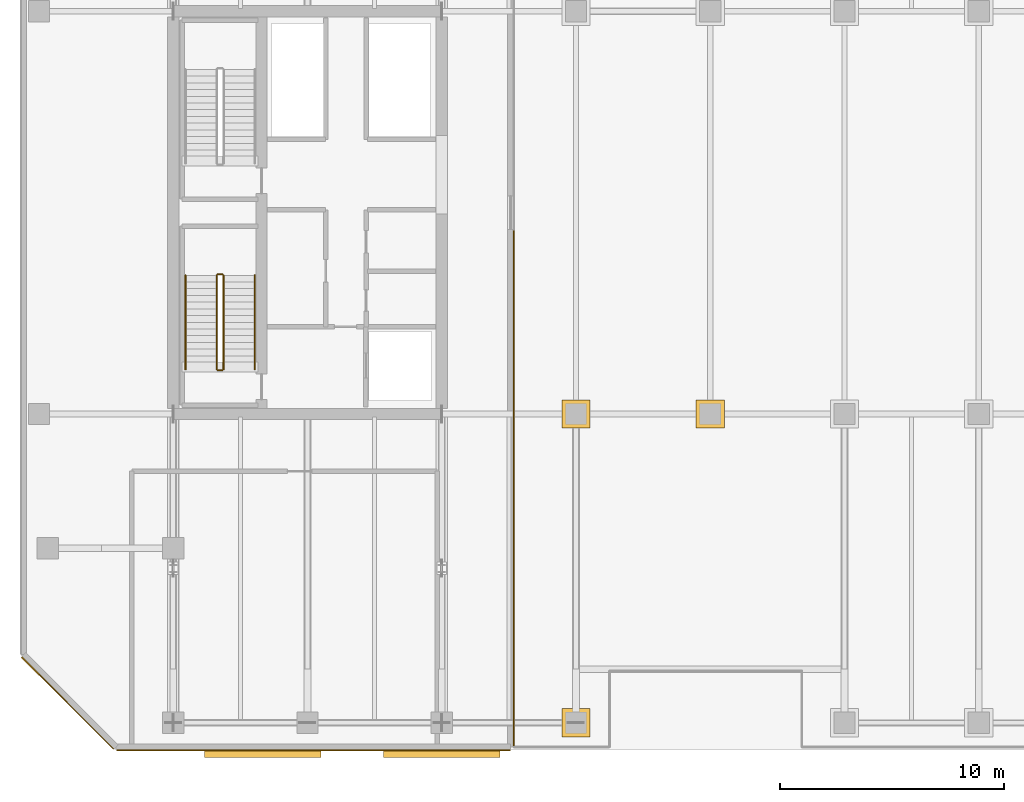
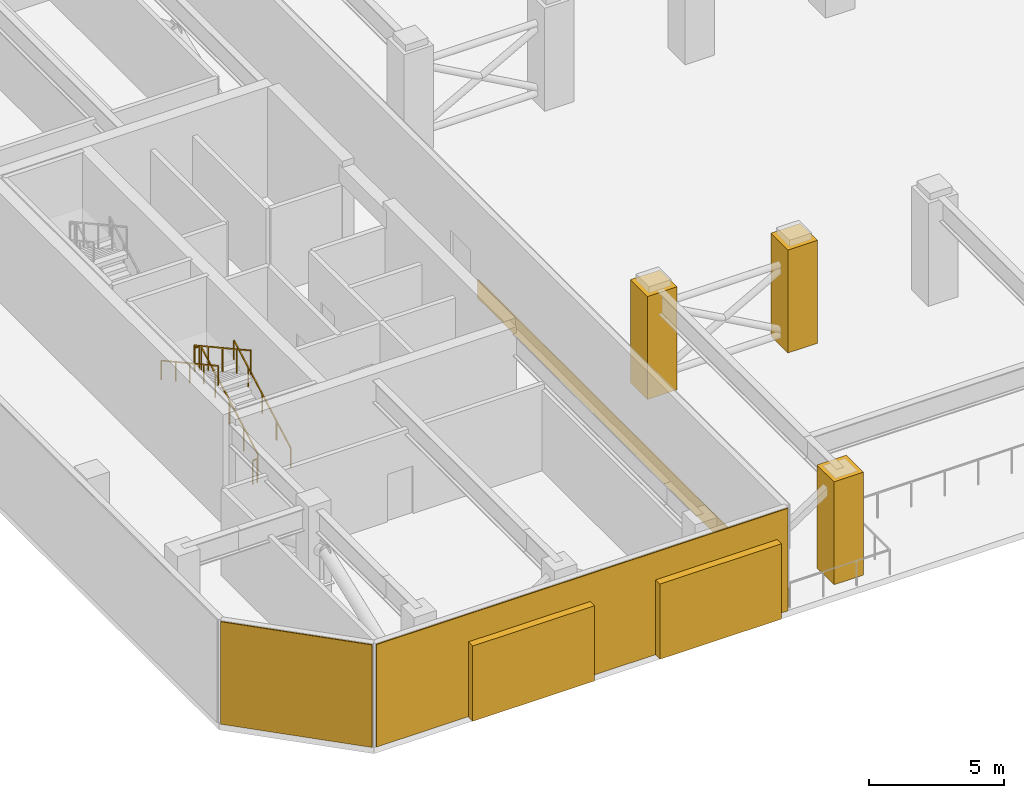
# One storey, part 16 of 21: 6 coverings, 6 railings, 2 shading devices.
"""IFC4 building model written with IfcOpenShell, lengths in metres."""

from ifc_helpers import new_model, si_unit, direction, frame, origin, origin_2d, place, context, subcontext, project, spatial, rectangle, extrude, material, layer, layer_set, type_object, element, save


model = new_model("IFC4")

# Units and contexts
model_context = context("Model", 3, precision=1e-05, world=origin(), true_north=direction((0.0, 1.0)))
body_context = subcontext(model_context, "Body", "Model", "MODEL_VIEW")
ifc_project = project(units=[si_unit("LENGTHUNIT", "METRE"), si_unit("AREAUNIT", "SQUARE_METRE"), si_unit("VOLUMEUNIT", "CUBIC_METRE"), si_unit("PLANEANGLEUNIT", "RADIAN"), si_unit("MASSUNIT", "GRAM", prefix="KILO")], contexts=[model_context])

# Site, building, storey
site_placement = place(None, origin())
site = spatial("IfcSite", under=ifc_project, at=site_placement, CompositionType="ELEMENT")
building_placement = place(site_placement, origin())
building = spatial("IfcBuilding", under=site, at=building_placement, Name="Tanjung Sevakor Pilgrim Tower", CompositionType="ELEMENT")
storey_placement = place(building_placement, frame((0.0, 0.0, 123.090087890625)))
storey = spatial("IfcBuildingStorey", under=building, at=storey_placement, Name="L34", CompositionType="ELEMENT", Elevation=123.090087890625)

# Coverings
ifc_material_1 = material(Name="Reconstructed Limestone Cladding", Category="masonry")
ifc_layer = layer(ifc_material_1, 0.044921875)
ifc_layer_set = layer_set([ifc_layer], Name="COV-CLAD-LIMESTONE")
covering_type = type_object("IfcCoveringType", Name="COV-CLAD-LIMESTONE", PredefinedType="CLADDING", material=ifc_layer_set)
covering_1_placement = place(storey_placement, frame((30.263427734375, 9.577392578125, 0.02001953125), z_axis=(0.0, 0.0, 1.0), x_axis=(1.0, 0.0, 0.0)))
element("IfcCovering", 1, at=covering_1_placement, inside=storey, type_object=covering_type, Name="L34 Warm Limestone Wall Cladding EW-RFW-L34-1", PredefinedType="CLADDING", context=body_context, shape_type="SweptSolid", body=[
    extrude(rectangle(XDim=17.583251953125, YDim=0.044921875, at=origin_2d()), origin(), (0.0, 0.0, 1.0), 4.6298828125),
])
covering_2_placement = place(storey_placement, frame((39.222412109375, 21.277587890625, 0.009765625), z_axis=(0.0, 0.0, 1.0), x_axis=(0.0, 1.0, 0.0)))
element("IfcCovering", 2, at=covering_2_placement, inside=storey, type_object=covering_type, Name="L34 Warm Limestone Sill Spandrel EW-RFW-L34-2-1", PredefinedType="CLADDING", context=body_context, shape_type="SweptSolid", body=[
    extrude(rectangle(XDim=23.02490234375, YDim=0.044921875, at=origin_2d()), origin(), (0.0, 0.0, 1.0), 0.840087890625),
])
covering_3_placement = place(storey_placement, frame((19.2841796875, 11.68408203125, 0.02001953125), z_axis=(0.0, 0.0, 1.0), x_axis=(0.707106781187, -0.707106781187, 0.0)))
element("IfcCovering", 3, at=covering_3_placement, inside=storey, type_object=covering_type, Name="L34 Warm Limestone Wall Cladding EW-RFW-L34-6", PredefinedType="CLADDING", context=body_context, shape_type="SweptSolid", body=[
    extrude(rectangle(XDim=5.796142578125, YDim=0.044921875, at=origin_2d()), origin(), (0.0, 0.0, 1.0), 4.6298828125),
])
for number, where, z_axis, x_axis, name in (
    (4, (42.0, 24.60009765625, 0.010009765625), (0.0, 0.0, 1.0), (1.0, 0.0, 0.0), "L34 Portal Colonnade Limestone Casing 03"),
    (5, (48.0, 24.60009765625, 0.010009765625), (0.0, 0.0, 1.0), (1.0, 0.0, 0.0), "L34 Portal Colonnade Limestone Casing 05"),
    (6, (42.0, 10.800048828125, 0.010009765625), (0.0, 0.0, 1.0), (1.0, 0.0, 0.0), "L34 Portal Colonnade Limestone Casing 31"),
):
    element("IfcCovering", number, at=place(storey_placement, frame(where, z_axis=z_axis, x_axis=x_axis)), inside=storey, type_object=covering_type, Name=name, PredefinedType="CLADDING", context=body_context, shape_type="SweptSolid", body=[
        extrude(rectangle(XDim=1.260009765625, YDim=1.260009765625, at=origin_2d()), origin(), (0.0, 0.0, 1.0), 4.64990234375),
    ])

# Railings
ifc_material_2 = material(Name="Steel S355J2", Category="steel")
railing_type_1 = type_object("IfcRailingType", Name="RL-STAIR-GUARD", PredefinedType="GUARDRAIL", material=ifc_material_2)
railing_1_placement = place(storey_placement, frame((26.25, 26.60009765625, 0.164794921875)))
element("IfcRailing", 7, at=railing_1_placement, inside=storey, type_object=railing_type_1, Name="L34 TS-W1 stair guard 1", PredefinedType="GUARDRAIL", context=body_context, shape_type="SweptSolid", body=[
    extrude(rectangle(XDim=0.0479, YDim=0.0479), frame((0.0, 0.0, 1.076171875), z_axis=(0.0, 0.876208380975, 0.481932436249), x_axis=(-1.0, 0.0, 0.0)), (0.0, 0.0, 1.0), 4.793212890625),
    extrude(rectangle(XDim=0.042, YDim=0.042), origin(), (0.0, 0.0, 1.0), 1.052001953125),
    extrude(rectangle(XDim=0.042, YDim=0.042), frame((0.0, 1.050048828125, 0.57763671875)), (0.0, 0.0, 1.0), 1.052001953125),
    extrude(rectangle(XDim=0.042, YDim=0.042), frame((0.0, 2.10009765625, 1.155029296875)), (0.0, 0.0, 1.0), 1.052001953125),
    extrude(rectangle(XDim=0.042, YDim=0.042), frame((0.0, 3.14990234375, 1.732421875)), (0.0, 0.0, 1.0), 1.052001953125),
    extrude(rectangle(XDim=0.042, YDim=0.042), frame((0.0, 4.199951171875, 2.31005859375)), (0.0, 0.0, 1.0), 1.052001953125),
])
railing_2_placement = place(storey_placement, frame((26.199951171875, 30.85009765625, 2.474853515625)))
element("IfcRailing", 8, at=railing_2_placement, inside=storey, type_object=railing_type_1, Name="L34 TS-W1 stair guard 2", PredefinedType="GUARDRAIL", context=body_context, shape_type="SweptSolid", body=[
    extrude(rectangle(XDim=0.0479, YDim=0.0479), frame((0.0, 0.0, 1.076171875), z_axis=(-1.0, 0.0, 0.0), x_axis=(0.0, -1.0, 0.0)), (0.0, 0.0, 1.0), 0.199951171875),
    extrude(rectangle(XDim=0.042, YDim=0.042), origin(), (0.0, 0.0, 1.0), 1.052001953125),
    extrude(rectangle(XDim=0.042, YDim=0.042), frame((-0.199951171875, 0.0, 0.0)), (0.0, 0.0, 1.0), 1.052001953125),
])
railing_3_placement = place(storey_placement, frame((25.949951171875, 30.800048828125, 2.639892578125)))
element("IfcRailing", 9, at=railing_3_placement, inside=storey, type_object=railing_type_1, Name="L34 TS-W1 stair guard 3", PredefinedType="GUARDRAIL", context=body_context, shape_type="SweptSolid", body=[
    extrude(rectangle(XDim=0.0479, YDim=0.0479), frame((0.0, 0.0, 1.076171875), z_axis=(0.0, -0.876208380975, 0.481932436249), x_axis=(1.0, 0.0, 0.0)), (0.0, 0.0, 1.0), 4.793212890625),
    extrude(rectangle(XDim=0.042, YDim=0.042), origin(), (0.0, 0.0, 1.0), 1.052001953125),
    extrude(rectangle(XDim=0.042, YDim=0.042), frame((0.0, -1.050048828125, 0.57763671875)), (0.0, 0.0, 1.0), 1.052001953125),
    extrude(rectangle(XDim=0.042, YDim=0.042), frame((0.0, -2.10009765625, 1.155029296875)), (0.0, 0.0, 1.0), 1.052001953125),
    extrude(rectangle(XDim=0.042, YDim=0.042), frame((0.0, -3.14990234375, 1.732421875)), (0.0, 0.0, 1.0), 1.052001953125),
    extrude(rectangle(XDim=0.042, YDim=0.042), frame((0.0, -4.199951171875, 2.31005859375)), (0.0, 0.0, 1.0), 1.052001953125),
])
railing_4_placement = place(storey_placement, frame((26.199951171875, 26.550048828125, 0.0)))
element("IfcRailing", 10, at=railing_4_placement, inside=storey, type_object=railing_type_1, Name="L34 TS-W1 stair guard 4", PredefinedType="GUARDRAIL", context=body_context, shape_type="SweptSolid", body=[
    extrude(rectangle(XDim=0.0479, YDim=0.0479), frame((0.0, 0.0, 1.076171875), z_axis=(-1.0, 0.0, 0.0), x_axis=(0.0, -1.0, 0.0)), (0.0, 0.0, 1.0), 0.199951171875),
    extrude(rectangle(XDim=0.042, YDim=0.042), origin(), (0.0, 0.0, 1.0), 1.052001953125),
    extrude(rectangle(XDim=0.042, YDim=0.042), frame((-0.199951171875, 0.0, 0.0)), (0.0, 0.0, 1.0), 1.052001953125),
])
ifc_material_3 = material(Name="Steel S355J2", Category="steel")
railing_type_2 = type_object("IfcRailingType", Name="RL-STAIR-HAND", PredefinedType="HANDRAIL", material=ifc_material_3)
railing_5_placement = place(storey_placement, frame((27.64990234375, 26.60009765625, 0.164794921875)))
element("IfcRailing", 11, at=railing_5_placement, inside=storey, type_object=railing_type_2, Name="L34 TS-W1 stair handrail 1", PredefinedType="HANDRAIL", context=body_context, shape_type="SweptSolid", body=[
    extrude(rectangle(XDim=0.0479, YDim=0.0479), frame((0.0, 0.0, 0.8759765625), z_axis=(0.0, 0.876208380975, 0.481932436249), x_axis=(-1.0, 0.0, 0.0)), (0.0, 0.0, 1.0), 4.793212890625),
    extrude(rectangle(XDim=0.042, YDim=0.042), origin(), (0.0, 0.0, 1.0), 0.851806640625),
    extrude(rectangle(XDim=0.042, YDim=0.042), frame((0.0, 1.050048828125, 0.57763671875)), (0.0, 0.0, 1.0), 0.851806640625),
    extrude(rectangle(XDim=0.042, YDim=0.042), frame((0.0, 2.10009765625, 1.155029296875)), (0.0, 0.0, 1.0), 0.851806640625),
    extrude(rectangle(XDim=0.042, YDim=0.042), frame((0.0, 3.14990234375, 1.732421875)), (0.0, 0.0, 1.0), 0.851806640625),
    extrude(rectangle(XDim=0.042, YDim=0.042), frame((0.0, 4.199951171875, 2.31005859375)), (0.0, 0.0, 1.0), 0.851806640625),
])
railing_6_placement = place(storey_placement, frame((24.550048828125, 30.800048828125, 2.639892578125)))
element("IfcRailing", 12, at=railing_6_placement, inside=storey, type_object=railing_type_2, Name="L34 TS-W1 stair handrail 2", PredefinedType="HANDRAIL", context=body_context, shape_type="SweptSolid", body=[
    extrude(rectangle(XDim=0.0479, YDim=0.0479), frame((0.0, 0.0, 0.8759765625), z_axis=(0.0, -0.876208380975, 0.481932436249), x_axis=(1.0, 0.0, 0.0)), (0.0, 0.0, 1.0), 4.793212890625),
    extrude(rectangle(XDim=0.042, YDim=0.042), origin(), (0.0, 0.0, 1.0), 0.851806640625),
    extrude(rectangle(XDim=0.042, YDim=0.042), frame((0.0, -1.050048828125, 0.57763671875)), (0.0, 0.0, 1.0), 0.851806640625),
    extrude(rectangle(XDim=0.042, YDim=0.042), frame((0.0, -2.10009765625, 1.155029296875)), (0.0, 0.0, 1.0), 0.851806640625),
    extrude(rectangle(XDim=0.042, YDim=0.042), frame((0.0, -3.14990234375, 1.732421875)), (0.0, 0.0, 1.0), 0.851806640625),
    extrude(rectangle(XDim=0.042, YDim=0.042), frame((0.0, -4.199951171875, 2.31005859375)), (0.0, 0.0, 1.0), 0.851806640625),
])

# Shading devices
ifc_material_4 = material(Name="Anodised Bronze Aluminium 6063-T6", Category="aluminium")
shading_device_type = type_object("IfcShadingDeviceType", Name="SHD-LOUVRE-SLOT", PredefinedType="USERDEFINED", material=ifc_material_4)
for number, where, z_axis, x_axis, name in (
    (13, (28.0, 9.419921875, 0.0), (0.0, 0.0, 1.0), (1.0, 0.0, 0.0), "L34 Plant Wing Acoustic Louvre S-01"),
    (14, (36.0, 9.419921875, 0.0), (0.0, 0.0, 1.0), (1.0, 0.0, 0.0), "L34 Plant Wing Acoustic Louvre S-02"),
):
    element("IfcShadingDevice", number, at=place(storey_placement, frame(where, z_axis=z_axis, x_axis=x_axis)), inside=storey, type_object=shading_device_type, Name=name, ObjectType="LOUVRE", PredefinedType="USERDEFINED", context=body_context, shape_type="SweptSolid", body=[
        extrude(rectangle(XDim=5.199951171875, YDim=0.360107421875, at=origin_2d()), origin(), (0.0, 0.0, 1.0), 3.39990234375),
    ])

save(model, "model.ifc")
